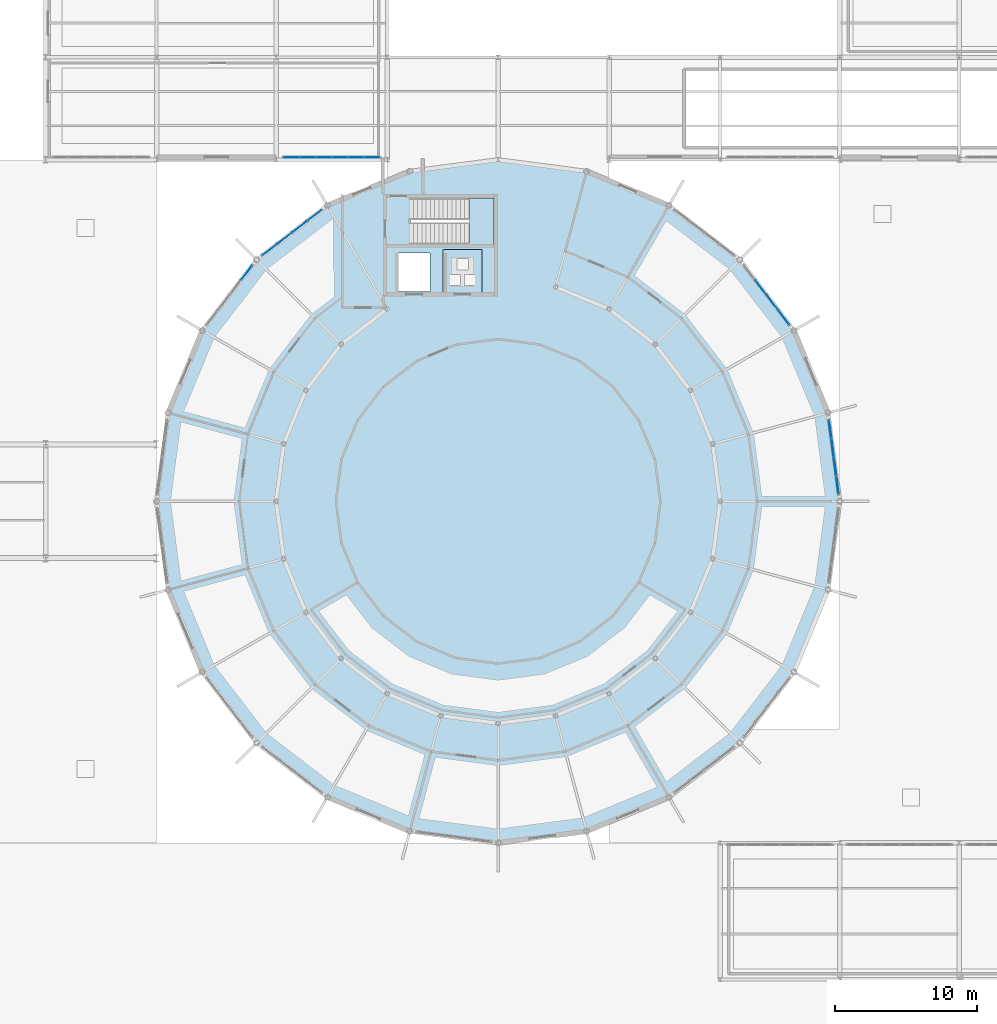
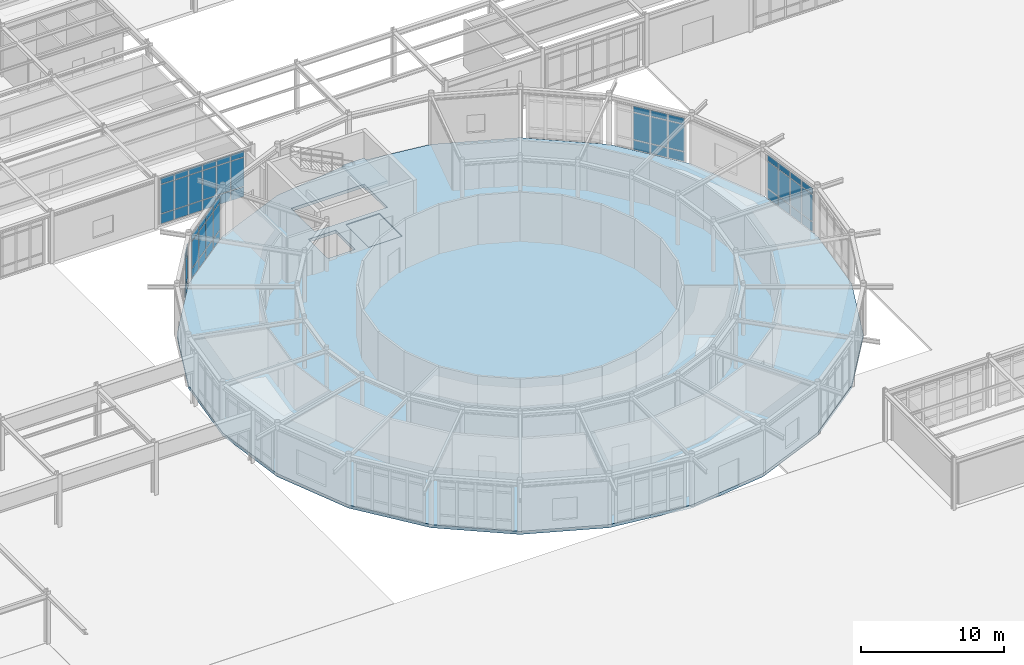
# One storey, part 68 of 101: 54 plates, 3 slabs, 6 elements without a shape of their own.
"""IFC4 building model written with IfcOpenShell, lengths in metres."""

from ifc_helpers import new_model, si_unit, derived_unit, direction, frame, origin, origin_2d, place, context, subcontext, project, spatial, polyline, rectangle, outline, extrude, material, layer, layer_set, type_object, element, aggregate, save


model = new_model("IFC4")

# Units and contexts
model_context = context("Model", 3, precision=1e-05, world=origin(), true_north=direction((0.0, 1.0)))
body_context = subcontext(model_context, "Body", "Model", "MODEL_VIEW")
ifc_project = project(units=[si_unit("LENGTHUNIT", "METRE"), si_unit("AREAUNIT", "SQUARE_METRE"), si_unit("VOLUMEUNIT", "CUBIC_METRE"), si_unit("PLANEANGLEUNIT", "RADIAN"), si_unit("MASSUNIT", "GRAM", prefix="KILO"), derived_unit("THERMALTRANSMITTANCEUNIT", [(si_unit("POWERUNIT", "WATT"), 1), (si_unit("AREAUNIT", "SQUARE_METRE"), -1), (si_unit("THERMODYNAMICTEMPERATUREUNIT", "KELVIN"), -1)])], contexts=[model_context])

# Site, building, storey
site_placement = place(None, origin())
site = spatial("IfcSite", under=ifc_project, at=site_placement, CompositionType="ELEMENT")
building_placement = place(site_placement, origin())
building = spatial("IfcBuilding", under=site, at=building_placement, Name="Yasenodar Specialist Clinic", CompositionType="ELEMENT")
storey_placement = place(building_placement, origin())
storey = spatial("IfcBuildingStorey", under=building, at=storey_placement, Name="L00", CompositionType="ELEMENT", Elevation=0.0)

# Curtain wall, plates
ifc_material_1 = material(Name="Bronze Anodized Aluminium and Triple Low-E Glass", Category="aluminium")
ifc_layer_1 = layer(ifc_material_1, 0.1669921875)
ifc_layer_set_1 = layer_set([ifc_layer_1], Name="Bronze Anodized Aluminium and Triple Low-E Glass")
curtain_wall_type_1 = type_object("IfcCurtainWallType", Name="CW-SYS-01", PredefinedType="USERDEFINED", material=ifc_layer_set_1)
curtain_wall_1_placement = place(storey_placement, origin())
curtain_wall_1 = element("IfcCurtainWall", 1, at=curtain_wall_1_placement, inside=storey, type_object=curtain_wall_type_1, Name="L00 Unitised Curtain Wall 004", ObjectType="UNITISED CURTAIN WALL", PredefinedType="USERDEFINED")
ifc_material_2 = material(Name="Triple Low-E Argon Glazing", Category="glass")
ifc_layer_2 = layer(ifc_material_2, 0.028076171875)
ifc_layer_set_2 = layer_set([ifc_layer_2], Name="Triple Low-E Argon Glazing")
plate_type_1 = type_object("IfcPlateType", Name="CW-PAN-1", PredefinedType="CURTAIN_PANEL", material=ifc_layer_set_2)
plate_1_placement = place(storey_placement, frame((64.9501953125, 76.47705078125, 0.070068359375), z_axis=(0.0, 0.0, 1.0), x_axis=(0.793360558574, 0.608752021844, 0.0)))
plate_1 = element("IfcPlate", 2, at=plate_1_placement, type_object=plate_type_1, Name="CW-01 panel 1.1", PredefinedType="CURTAIN_PANEL", context=body_context, shape_type="SweptSolid", body=[
    extrude(rectangle(XDim=1.221435546875, YDim=0.028076171875, at=origin_2d()), origin(), (0.0, 0.0, 1.0), 0.794921875),
])
plate_2_placement = place(storey_placement, frame((64.9501953125, 76.47705078125, 0.93505859375), z_axis=(0.0, 0.0, 1.0), x_axis=(0.793360558574, 0.608752021844, 0.0)))
plate_2 = element("IfcPlate", 3, at=plate_2_placement, type_object=plate_type_1, Name="CW-01 panel 1.2", PredefinedType="CURTAIN_PANEL", context=body_context, shape_type="SweptSolid", body=[
    extrude(rectangle(XDim=1.221435546875, YDim=0.028076171875, at=origin_2d()), origin(), (0.0, 0.0, 1.0), 2.26806640625),
])
plate_3_placement = place(storey_placement, frame((64.9501953125, 76.47705078125, 3.27294921875), z_axis=(0.0, 0.0, 1.0), x_axis=(0.793360558574, 0.608752021844, 0.0)))
plate_3 = element("IfcPlate", 4, at=plate_3_placement, type_object=plate_type_1, Name="CW-01 panel 1.3", PredefinedType="CURTAIN_PANEL", context=body_context, shape_type="SweptSolid", body=[
    extrude(rectangle(XDim=1.221435546875, YDim=0.028076171875, at=origin_2d()), origin(), (0.0, 0.0, 1.0), 0.4951171875),
])
plate_4_placement = place(storey_placement, frame((65.988525390625, 77.27392578125, 0.070068359375), z_axis=(0.0, 0.0, 1.0), x_axis=(0.793360558574, 0.608752021844, 0.0)))
plate_4 = element("IfcPlate", 5, at=plate_4_placement, type_object=plate_type_1, Name="CW-01 panel 2.1", PredefinedType="CURTAIN_PANEL", context=body_context, shape_type="SweptSolid", body=[
    extrude(rectangle(XDim=1.25634765625, YDim=0.028076171875, at=origin_2d()), origin(), (0.0, 0.0, 1.0), 0.794921875),
])
plate_5_placement = place(storey_placement, frame((65.988525390625, 77.27392578125, 0.93505859375), z_axis=(0.0, 0.0, 1.0), x_axis=(0.793360558574, 0.608752021844, 0.0)))
plate_5 = element("IfcPlate", 6, at=plate_5_placement, type_object=plate_type_1, Name="CW-01 panel 2.2", PredefinedType="CURTAIN_PANEL", context=body_context, shape_type="SweptSolid", body=[
    extrude(rectangle(XDim=1.25634765625, YDim=0.028076171875, at=origin_2d()), origin(), (0.0, 0.0, 1.0), 2.26806640625),
])
plate_6_placement = place(storey_placement, frame((65.988525390625, 77.27392578125, 3.27294921875), z_axis=(0.0, 0.0, 1.0), x_axis=(0.793360558574, 0.608752021844, 0.0)))
plate_6 = element("IfcPlate", 7, at=plate_6_placement, type_object=plate_type_1, Name="CW-01 panel 2.3", PredefinedType="CURTAIN_PANEL", context=body_context, shape_type="SweptSolid", body=[
    extrude(rectangle(XDim=1.25634765625, YDim=0.028076171875, at=origin_2d()), origin(), (0.0, 0.0, 1.0), 0.4951171875),
])
plate_7_placement = place(storey_placement, frame((67.040771484375, 78.081298828125, 0.070068359375), z_axis=(0.0, 0.0, 1.0), x_axis=(0.793360558574, 0.608752021844, 0.0)))
plate_7 = element("IfcPlate", 8, at=plate_7_placement, type_object=plate_type_1, Name="CW-01 panel 3.1", PredefinedType="CURTAIN_PANEL", context=body_context, shape_type="SweptSolid", body=[
    extrude(rectangle(XDim=1.25634765625, YDim=0.028076171875, at=origin_2d()), origin(), (0.0, 0.0, 1.0), 0.794921875),
])
plate_8_placement = place(storey_placement, frame((67.040771484375, 78.081298828125, 0.93505859375), z_axis=(0.0, 0.0, 1.0), x_axis=(0.793360558574, 0.608752021844, 0.0)))
plate_8 = element("IfcPlate", 9, at=plate_8_placement, type_object=plate_type_1, Name="CW-01 panel 3.2", PredefinedType="CURTAIN_PANEL", context=body_context, shape_type="SweptSolid", body=[
    extrude(rectangle(XDim=1.25634765625, YDim=0.028076171875, at=origin_2d()), origin(), (0.0, 0.0, 1.0), 2.26806640625),
])
plate_9_placement = place(storey_placement, frame((67.040771484375, 78.081298828125, 3.27294921875), z_axis=(0.0, 0.0, 1.0), x_axis=(0.793360558574, 0.608752021844, 0.0)))
plate_9 = element("IfcPlate", 10, at=plate_9_placement, type_object=plate_type_1, Name="CW-01 panel 3.3", PredefinedType="CURTAIN_PANEL", context=body_context, shape_type="SweptSolid", body=[
    extrude(rectangle(XDim=1.25634765625, YDim=0.028076171875, at=origin_2d()), origin(), (0.0, 0.0, 1.0), 0.4951171875),
])
plate_10_placement = place(storey_placement, frame((68.0791015625, 78.8779296875, 0.070068359375), z_axis=(0.0, 0.0, 1.0), x_axis=(0.793360558574, 0.608752021844, 0.0)))
plate_10 = element("IfcPlate", 11, at=plate_10_placement, type_object=plate_type_1, Name="CW-01 panel 4.1", PredefinedType="CURTAIN_PANEL", context=body_context, shape_type="SweptSolid", body=[
    extrude(rectangle(XDim=1.221435546875, YDim=0.028076171875, at=origin_2d()), origin(), (0.0, 0.0, 1.0), 0.794921875),
])
plate_11_placement = place(storey_placement, frame((68.0791015625, 78.8779296875, 0.93505859375), z_axis=(0.0, 0.0, 1.0), x_axis=(0.793360558574, 0.608752021844, 0.0)))
plate_11 = element("IfcPlate", 12, at=plate_11_placement, type_object=plate_type_1, Name="CW-01 panel 4.2", PredefinedType="CURTAIN_PANEL", context=body_context, shape_type="SweptSolid", body=[
    extrude(rectangle(XDim=1.221435546875, YDim=0.028076171875, at=origin_2d()), origin(), (0.0, 0.0, 1.0), 2.26806640625),
])
plate_12_placement = place(storey_placement, frame((68.0791015625, 78.8779296875, 3.27294921875), z_axis=(0.0, 0.0, 1.0), x_axis=(0.793360558574, 0.608752021844, 0.0)))
plate_12 = element("IfcPlate", 13, at=plate_12_placement, type_object=plate_type_1, Name="CW-01 panel 4.3", PredefinedType="CURTAIN_PANEL", context=body_context, shape_type="SweptSolid", body=[
    extrude(rectangle(XDim=1.221435546875, YDim=0.028076171875, at=origin_2d()), origin(), (0.0, 0.0, 1.0), 0.4951171875),
])
aggregate(curtain_wall_1, [plate_1, plate_2, plate_3, plate_4, plate_5, plate_6, plate_7, plate_8, plate_9, plate_10, plate_11, plate_12])

ifc_layer_3 = layer(ifc_material_1, 0.215087890625)
ifc_layer_set_3 = layer_set([ifc_layer_3], Name="Bronze Anodized Aluminium and Triple Low-E Glass")
curtain_wall_type_2 = type_object("IfcCurtainWallType", Name="CW-SYS-05", PredefinedType="USERDEFINED", material=ifc_layer_set_3)
curtain_wall_2_placement = place(storey_placement, origin())
curtain_wall_2 = element("IfcCurtainWall", 14, at=curtain_wall_2_placement, inside=storey, type_object=curtain_wall_type_2, Name="L00 Unitised Curtain Wall 148", ObjectType="UNITISED CURTAIN WALL", PredefinedType="USERDEFINED")
plate_13_placement = place(storey_placement, frame((72.135009765625, 82.969970703125, 0.06005859375), z_axis=(0.0, 0.0, 1.0), x_axis=(-1.0, 0.0, 0.0)))
plate_13 = element("IfcPlate", 15, at=plate_13_placement, type_object=plate_type_1, Name="CW-05 panel 1.1", PredefinedType="CURTAIN_PANEL", context=body_context, shape_type="SweptSolid", body=[
    extrude(rectangle(XDim=1.050048828125, YDim=0.028076171875, at=origin_2d()), origin(), (0.0, 0.0, 1.0), 0.81005859375),
])
plate_14_placement = place(storey_placement, frame((72.135009765625, 82.969970703125, 0.929931640625), z_axis=(0.0, 0.0, 1.0), x_axis=(-1.0, 0.0, 0.0)))
plate_14 = element("IfcPlate", 16, at=plate_14_placement, type_object=plate_type_1, Name="CW-05 panel 1.2", PredefinedType="CURTAIN_PANEL", context=body_context, shape_type="SweptSolid", body=[
    extrude(rectangle(XDim=1.050048828125, YDim=0.028076171875, at=origin_2d()), origin(), (0.0, 0.0, 1.0), 2.4580078125),
])
plate_15_placement = place(storey_placement, frame((72.135009765625, 82.969970703125, 3.44775390625), z_axis=(0.0, 0.0, 1.0), x_axis=(-1.0, 0.0, 0.0)))
plate_15 = element("IfcPlate", 17, at=plate_15_placement, type_object=plate_type_1, Name="CW-05 panel 1.3", PredefinedType="CURTAIN_PANEL", context=body_context, shape_type="SweptSolid", body=[
    extrude(rectangle(XDim=1.050048828125, YDim=0.028076171875, at=origin_2d()), origin(), (0.0, 0.0, 1.0), 0.510009765625),
])
plate_16_placement = place(storey_placement, frame((71.010009765625, 82.969970703125, 0.06005859375), z_axis=(0.0, 0.0, 1.0), x_axis=(-1.0, 0.0, 0.0)))
plate_16 = element("IfcPlate", 18, at=plate_16_placement, type_object=plate_type_1, Name="CW-05 panel 2.1", PredefinedType="CURTAIN_PANEL", context=body_context, shape_type="SweptSolid", body=[
    extrude(rectangle(XDim=1.080078125, YDim=0.028076171875, at=origin_2d()), origin(), (0.0, 0.0, 1.0), 0.81005859375),
])
plate_17_placement = place(storey_placement, frame((71.010009765625, 82.969970703125, 0.929931640625), z_axis=(0.0, 0.0, 1.0), x_axis=(-1.0, 0.0, 0.0)))
plate_17 = element("IfcPlate", 19, at=plate_17_placement, type_object=plate_type_1, Name="CW-05 panel 2.2", PredefinedType="CURTAIN_PANEL", context=body_context, shape_type="SweptSolid", body=[
    extrude(rectangle(XDim=1.080078125, YDim=0.028076171875, at=origin_2d()), origin(), (0.0, 0.0, 1.0), 2.4580078125),
])
plate_18_placement = place(storey_placement, frame((71.010009765625, 82.969970703125, 3.44775390625), z_axis=(0.0, 0.0, 1.0), x_axis=(-1.0, 0.0, 0.0)))
plate_18 = element("IfcPlate", 20, at=plate_18_placement, type_object=plate_type_1, Name="CW-05 panel 2.3", PredefinedType="CURTAIN_PANEL", context=body_context, shape_type="SweptSolid", body=[
    extrude(rectangle(XDim=1.080078125, YDim=0.028076171875, at=origin_2d()), origin(), (0.0, 0.0, 1.0), 0.510009765625),
])
plate_19_placement = place(storey_placement, frame((69.8701171875, 82.969970703125, 0.06005859375), z_axis=(0.0, 0.0, 1.0), x_axis=(-1.0, 0.0, 0.0)))
plate_19 = element("IfcPlate", 21, at=plate_19_placement, type_object=plate_type_1, Name="CW-05 panel 3.1", PredefinedType="CURTAIN_PANEL", context=body_context, shape_type="SweptSolid", body=[
    extrude(rectangle(XDim=1.080078125, YDim=0.028076171875, at=origin_2d()), origin(), (0.0, 0.0, 1.0), 0.81005859375),
])
plate_20_placement = place(storey_placement, frame((69.8701171875, 82.969970703125, 0.929931640625), z_axis=(0.0, 0.0, 1.0), x_axis=(-1.0, 0.0, 0.0)))
plate_20 = element("IfcPlate", 22, at=plate_20_placement, type_object=plate_type_1, Name="CW-05 panel 3.2", PredefinedType="CURTAIN_PANEL", context=body_context, shape_type="SweptSolid", body=[
    extrude(rectangle(XDim=1.080078125, YDim=0.028076171875, at=origin_2d()), origin(), (0.0, 0.0, 1.0), 2.4580078125),
])
plate_21_placement = place(storey_placement, frame((69.8701171875, 82.969970703125, 3.44775390625), z_axis=(0.0, 0.0, 1.0), x_axis=(-1.0, 0.0, 0.0)))
plate_21 = element("IfcPlate", 23, at=plate_21_placement, type_object=plate_type_1, Name="CW-05 panel 3.3", PredefinedType="CURTAIN_PANEL", context=body_context, shape_type="SweptSolid", body=[
    extrude(rectangle(XDim=1.080078125, YDim=0.028076171875, at=origin_2d()), origin(), (0.0, 0.0, 1.0), 0.510009765625),
])
plate_22_placement = place(storey_placement, frame((68.72998046875, 82.969970703125, 0.06005859375), z_axis=(0.0, 0.0, 1.0), x_axis=(-1.0, 0.0, 0.0)))
plate_22 = element("IfcPlate", 24, at=plate_22_placement, type_object=plate_type_1, Name="CW-05 panel 4.1", PredefinedType="CURTAIN_PANEL", context=body_context, shape_type="SweptSolid", body=[
    extrude(rectangle(XDim=1.080078125, YDim=0.028076171875, at=origin_2d()), origin(), (0.0, 0.0, 1.0), 0.81005859375),
])
plate_23_placement = place(storey_placement, frame((68.72998046875, 82.969970703125, 0.929931640625), z_axis=(0.0, 0.0, 1.0), x_axis=(-1.0, 0.0, 0.0)))
plate_23 = element("IfcPlate", 25, at=plate_23_placement, type_object=plate_type_1, Name="CW-05 panel 4.2", PredefinedType="CURTAIN_PANEL", context=body_context, shape_type="SweptSolid", body=[
    extrude(rectangle(XDim=1.080078125, YDim=0.028076171875, at=origin_2d()), origin(), (0.0, 0.0, 1.0), 2.4580078125),
])
plate_24_placement = place(storey_placement, frame((68.72998046875, 82.969970703125, 3.44775390625), z_axis=(0.0, 0.0, 1.0), x_axis=(-1.0, 0.0, 0.0)))
plate_24 = element("IfcPlate", 26, at=plate_24_placement, type_object=plate_type_1, Name="CW-05 panel 4.3", PredefinedType="CURTAIN_PANEL", context=body_context, shape_type="SweptSolid", body=[
    extrude(rectangle(XDim=1.080078125, YDim=0.028076171875, at=origin_2d()), origin(), (0.0, 0.0, 1.0), 0.510009765625),
])
plate_25_placement = place(storey_placement, frame((67.590087890625, 82.969970703125, 0.06005859375), z_axis=(0.0, 0.0, 1.0), x_axis=(-1.0, 0.0, 0.0)))
plate_25 = element("IfcPlate", 27, at=plate_25_placement, type_object=plate_type_1, Name="CW-05 panel 5.1", PredefinedType="CURTAIN_PANEL", context=body_context, shape_type="SweptSolid", body=[
    extrude(rectangle(XDim=1.080078125, YDim=0.028076171875, at=origin_2d()), origin(), (0.0, 0.0, 1.0), 0.81005859375),
])
plate_26_placement = place(storey_placement, frame((67.590087890625, 82.969970703125, 0.929931640625), z_axis=(0.0, 0.0, 1.0), x_axis=(-1.0, 0.0, 0.0)))
plate_26 = element("IfcPlate", 28, at=plate_26_placement, type_object=plate_type_1, Name="CW-05 panel 5.2", PredefinedType="CURTAIN_PANEL", context=body_context, shape_type="SweptSolid", body=[
    extrude(rectangle(XDim=1.080078125, YDim=0.028076171875, at=origin_2d()), origin(), (0.0, 0.0, 1.0), 2.4580078125),
])
plate_27_placement = place(storey_placement, frame((67.590087890625, 82.969970703125, 3.44775390625), z_axis=(0.0, 0.0, 1.0), x_axis=(-1.0, 0.0, 0.0)))
plate_27 = element("IfcPlate", 29, at=plate_27_placement, type_object=plate_type_1, Name="CW-05 panel 5.3", PredefinedType="CURTAIN_PANEL", context=body_context, shape_type="SweptSolid", body=[
    extrude(rectangle(XDim=1.080078125, YDim=0.028076171875, at=origin_2d()), origin(), (0.0, 0.0, 1.0), 0.510009765625),
])
plate_28_placement = place(storey_placement, frame((66.465087890625, 82.969970703125, 0.06005859375), z_axis=(0.0, 0.0, 1.0), x_axis=(-1.0, 0.0, 0.0)))
plate_28 = element("IfcPlate", 30, at=plate_28_placement, type_object=plate_type_1, Name="CW-05 panel 6.1", PredefinedType="CURTAIN_PANEL", context=body_context, shape_type="SweptSolid", body=[
    extrude(rectangle(XDim=1.050048828125, YDim=0.028076171875, at=origin_2d()), origin(), (0.0, 0.0, 1.0), 0.81005859375),
])
plate_29_placement = place(storey_placement, frame((66.465087890625, 82.969970703125, 0.929931640625), z_axis=(0.0, 0.0, 1.0), x_axis=(-1.0, 0.0, 0.0)))
plate_29 = element("IfcPlate", 31, at=plate_29_placement, type_object=plate_type_1, Name="CW-05 panel 6.2", PredefinedType="CURTAIN_PANEL", context=body_context, shape_type="SweptSolid", body=[
    extrude(rectangle(XDim=1.050048828125, YDim=0.028076171875, at=origin_2d()), origin(), (0.0, 0.0, 1.0), 2.4580078125),
])
plate_30_placement = place(storey_placement, frame((66.465087890625, 82.969970703125, 3.44775390625), z_axis=(0.0, 0.0, 1.0), x_axis=(-1.0, 0.0, 0.0)))
plate_30 = element("IfcPlate", 32, at=plate_30_placement, type_object=plate_type_1, Name="CW-05 panel 6.3", PredefinedType="CURTAIN_PANEL", context=body_context, shape_type="SweptSolid", body=[
    extrude(rectangle(XDim=1.050048828125, YDim=0.028076171875, at=origin_2d()), origin(), (0.0, 0.0, 1.0), 0.510009765625),
])
aggregate(curtain_wall_2, [plate_13, plate_14, plate_15, plate_16, plate_17, plate_18, plate_19, plate_20, plate_21, plate_22, plate_23, plate_24, plate_25, plate_26, plate_27, plate_28, plate_29, plate_30])

curtain_wall_3_placement = place(storey_placement, origin())
curtain_wall_3 = element("IfcCurtainWall", 33, at=curtain_wall_3_placement, inside=storey, type_object=curtain_wall_type_1, Name="L00 Unitised Curtain Wall 001", ObjectType="UNITISED CURTAIN WALL", PredefinedType="USERDEFINED")
ifc_layer_4 = layer(ifc_material_2, 0.033935546875)
ifc_layer_set_4 = layer_set([ifc_layer_4], Name="Triple Low-E Argon Glazing")
plate_type_2 = type_object("IfcPlateType", Name="CW-PAN-2", PredefinedType="CURTAIN_PANEL", material=ifc_layer_set_4)
plate_31_placement = place(storey_placement, frame((104.333740234375, 63.861083984375, 0.070068359375), z_axis=(0.0, 0.0, 1.0), x_axis=(0.13051156024, -0.991446787601, 0.0)))
plate_31 = element("IfcPlate", 34, at=plate_31_placement, type_object=plate_type_2, Name="CW-01 panel 1.1", PredefinedType="CURTAIN_PANEL", context=body_context, shape_type="SweptSolid", body=[
    extrude(rectangle(XDim=1.221435546875, YDim=0.033935546875, at=origin_2d()), origin(), (0.0, 0.0, 1.0), 0.794921875),
])
plate_32_placement = place(storey_placement, frame((104.333740234375, 63.861083984375, 0.93505859375), z_axis=(0.0, 0.0, 1.0), x_axis=(0.13051156024, -0.991446787601, 0.0)))
plate_32 = element("IfcPlate", 35, at=plate_32_placement, type_object=plate_type_2, Name="CW-01 panel 1.2", PredefinedType="CURTAIN_PANEL", context=body_context, shape_type="SweptSolid", body=[
    extrude(rectangle(XDim=1.221435546875, YDim=0.033935546875, at=origin_2d()), origin(), (0.0, 0.0, 1.0), 2.26806640625),
])
plate_33_placement = place(storey_placement, frame((104.333740234375, 63.861083984375, 3.27294921875), z_axis=(0.0, 0.0, 1.0), x_axis=(0.13051156024, -0.991446787601, 0.0)))
plate_33 = element("IfcPlate", 36, at=plate_33_placement, type_object=plate_type_2, Name="CW-01 panel 1.3", PredefinedType="CURTAIN_PANEL", context=body_context, shape_type="SweptSolid", body=[
    extrude(rectangle(XDim=1.221435546875, YDim=0.033935546875, at=origin_2d()), origin(), (0.0, 0.0, 1.0), 0.4951171875),
])
plate_34_placement = place(storey_placement, frame((104.504638671875, 62.563232421875, 0.070068359375), z_axis=(0.0, 0.0, 1.0), x_axis=(0.13051156024, -0.991446787601, 0.0)))
plate_34 = element("IfcPlate", 37, at=plate_34_placement, type_object=plate_type_2, Name="CW-01 panel 2.1", PredefinedType="CURTAIN_PANEL", context=body_context, shape_type="SweptSolid", body=[
    extrude(rectangle(XDim=1.25634765625, YDim=0.033935546875, at=origin_2d()), origin(), (0.0, 0.0, 1.0), 0.794921875),
])
plate_35_placement = place(storey_placement, frame((104.504638671875, 62.563232421875, 0.93505859375), z_axis=(0.0, 0.0, 1.0), x_axis=(0.13051156024, -0.991446787601, 0.0)))
plate_35 = element("IfcPlate", 38, at=plate_35_placement, type_object=plate_type_2, Name="CW-01 panel 2.2", PredefinedType="CURTAIN_PANEL", context=body_context, shape_type="SweptSolid", body=[
    extrude(rectangle(XDim=1.25634765625, YDim=0.033935546875, at=origin_2d()), origin(), (0.0, 0.0, 1.0), 2.26806640625),
])
plate_36_placement = place(storey_placement, frame((104.504638671875, 62.563232421875, 3.27294921875), z_axis=(0.0, 0.0, 1.0), x_axis=(0.13051156024, -0.991446787601, 0.0)))
plate_36 = element("IfcPlate", 39, at=plate_36_placement, type_object=plate_type_2, Name="CW-01 panel 2.3", PredefinedType="CURTAIN_PANEL", context=body_context, shape_type="SweptSolid", body=[
    extrude(rectangle(XDim=1.25634765625, YDim=0.033935546875, at=origin_2d()), origin(), (0.0, 0.0, 1.0), 0.4951171875),
])
plate_37_placement = place(storey_placement, frame((104.677734375, 61.248291015625, 0.070068359375), z_axis=(0.0, 0.0, 1.0), x_axis=(0.13051156024, -0.991446787601, 0.0)))
plate_37 = element("IfcPlate", 40, at=plate_37_placement, type_object=plate_type_2, Name="CW-01 panel 3.1", PredefinedType="CURTAIN_PANEL", context=body_context, shape_type="SweptSolid", body=[
    extrude(rectangle(XDim=1.25634765625, YDim=0.033935546875, at=origin_2d()), origin(), (0.0, 0.0, 1.0), 0.794921875),
])
plate_38_placement = place(storey_placement, frame((104.677734375, 61.248291015625, 0.93505859375), z_axis=(0.0, 0.0, 1.0), x_axis=(0.13051156024, -0.991446787601, 0.0)))
plate_38 = element("IfcPlate", 41, at=plate_38_placement, type_object=plate_type_2, Name="CW-01 panel 3.2", PredefinedType="CURTAIN_PANEL", context=body_context, shape_type="SweptSolid", body=[
    extrude(rectangle(XDim=1.25634765625, YDim=0.033935546875, at=origin_2d()), origin(), (0.0, 0.0, 1.0), 2.26806640625),
])
plate_39_placement = place(storey_placement, frame((104.677734375, 61.248291015625, 3.27294921875), z_axis=(0.0, 0.0, 1.0), x_axis=(0.13051156024, -0.991446787601, 0.0)))
plate_39 = element("IfcPlate", 42, at=plate_39_placement, type_object=plate_type_2, Name="CW-01 panel 3.3", PredefinedType="CURTAIN_PANEL", context=body_context, shape_type="SweptSolid", body=[
    extrude(rectangle(XDim=1.25634765625, YDim=0.033935546875, at=origin_2d()), origin(), (0.0, 0.0, 1.0), 0.4951171875),
])
plate_40_placement = place(storey_placement, frame((104.848388671875, 59.95068359375, 0.070068359375), z_axis=(0.0, 0.0, 1.0), x_axis=(0.13051156024, -0.991446787601, 0.0)))
plate_40 = element("IfcPlate", 43, at=plate_40_placement, type_object=plate_type_2, Name="CW-01 panel 4.1", PredefinedType="CURTAIN_PANEL", context=body_context, shape_type="SweptSolid", body=[
    extrude(rectangle(XDim=1.221435546875, YDim=0.033935546875, at=origin_2d()), origin(), (0.0, 0.0, 1.0), 0.794921875),
])
plate_41_placement = place(storey_placement, frame((104.848388671875, 59.95068359375, 0.93505859375), z_axis=(0.0, 0.0, 1.0), x_axis=(0.13051156024, -0.991446787601, 0.0)))
plate_41 = element("IfcPlate", 44, at=plate_41_placement, type_object=plate_type_2, Name="CW-01 panel 4.2", PredefinedType="CURTAIN_PANEL", context=body_context, shape_type="SweptSolid", body=[
    extrude(rectangle(XDim=1.221435546875, YDim=0.033935546875, at=origin_2d()), origin(), (0.0, 0.0, 1.0), 2.26806640625),
])
plate_42_placement = place(storey_placement, frame((104.848388671875, 59.95068359375, 3.27294921875), z_axis=(0.0, 0.0, 1.0), x_axis=(0.13051156024, -0.991446787601, 0.0)))
plate_42 = element("IfcPlate", 45, at=plate_42_placement, type_object=plate_type_2, Name="CW-01 panel 4.3", PredefinedType="CURTAIN_PANEL", context=body_context, shape_type="SweptSolid", body=[
    extrude(rectangle(XDim=1.221435546875, YDim=0.033935546875, at=origin_2d()), origin(), (0.0, 0.0, 1.0), 0.4951171875),
])
aggregate(curtain_wall_3, [plate_31, plate_32, plate_33, plate_34, plate_35, plate_36, plate_37, plate_38, plate_39, plate_40, plate_41, plate_42])

curtain_wall_4_placement = place(storey_placement, origin())
curtain_wall_4 = element("IfcCurtainWall", 46, at=curtain_wall_4_placement, inside=storey, type_object=curtain_wall_type_1, Name="L00 Unitised Curtain Wall 005", ObjectType="UNITISED CURTAIN WALL", PredefinedType="USERDEFINED")
plate_43_placement = place(storey_placement, frame((63.322021484375, 74.848876953125, 0.074951171875), z_axis=(0.0, 0.0, 1.0), x_axis=(0.608752021844, 0.793360558574, 0.0)))
plate_43 = element("IfcPlate", 47, at=plate_43_placement, type_object=plate_type_2, Name="CW-01 panel 4.1", PredefinedType="CURTAIN_PANEL", context=body_context, shape_type="SweptSolid", body=[
    extrude(rectangle(XDim=1.2138671875, YDim=0.033935546875, at=origin_2d()), origin(), (0.0, 0.0, 1.0), 0.78759765625),
])
plate_44_placement = place(storey_placement, frame((63.322021484375, 74.848876953125, 0.9375), z_axis=(0.0, 0.0, 1.0), x_axis=(0.608752021844, 0.793360558574, 0.0)))
plate_44 = element("IfcPlate", 48, at=plate_44_placement, type_object=plate_type_2, Name="CW-01 panel 4.2", PredefinedType="CURTAIN_PANEL", context=body_context, shape_type="SweptSolid", body=[
    extrude(rectangle(XDim=1.2138671875, YDim=0.033935546875, at=origin_2d()), origin(), (0.0, 0.0, 1.0), 2.262939453125),
])
plate_45_placement = place(storey_placement, frame((63.322021484375, 74.848876953125, 3.275390625), z_axis=(0.0, 0.0, 1.0), x_axis=(0.608752021844, 0.793360558574, 0.0)))
plate_45 = element("IfcPlate", 49, at=plate_45_placement, type_object=plate_type_2, Name="CW-01 panel 4.3", PredefinedType="CURTAIN_PANEL", context=body_context, shape_type="SweptSolid", body=[
    extrude(rectangle(XDim=1.2138671875, YDim=0.033935546875, at=origin_2d()), origin(), (0.0, 0.0, 1.0), 0.487548828125),
])
aggregate(curtain_wall_4, [plate_43, plate_44, plate_45])

curtain_wall_5_placement = place(storey_placement, origin())
curtain_wall_5 = element("IfcCurtainWall", 50, at=curtain_wall_5_placement, inside=storey, type_object=curtain_wall_type_1, Name="L00 Unitised Curtain Wall 002", ObjectType="UNITISED CURTAIN WALL", PredefinedType="USERDEFINED")
ifc_layer_5 = layer(ifc_material_2, 0.0400390625)
ifc_layer_set_5 = layer_set([ifc_layer_5], Name="Triple Low-E Argon Glazing")
plate_type_3 = type_object("IfcPlateType", Name="CW-PAN-3", PredefinedType="CURTAIN_PANEL", material=ifc_layer_set_5)
plate_46_placement = place(storey_placement, frame((99.473876953125, 73.8115234375, 0.070068359375), z_axis=(0.0, 0.0, 1.0), x_axis=(0.608752021844, -0.793360558574, 0.0)))
plate_46 = element("IfcPlate", 51, at=plate_46_placement, type_object=plate_type_3, Name="CW-01 panel 2.1", PredefinedType="CURTAIN_PANEL", context=body_context, shape_type="SweptSolid", body=[
    extrude(rectangle(XDim=1.25634765625, YDim=0.0400390625, at=origin_2d()), origin(), (0.0, 0.0, 1.0), 0.794921875),
])
plate_47_placement = place(storey_placement, frame((99.473876953125, 73.8115234375, 0.93505859375), z_axis=(0.0, 0.0, 1.0), x_axis=(0.608752021844, -0.793360558574, 0.0)))
plate_47 = element("IfcPlate", 52, at=plate_47_placement, type_object=plate_type_3, Name="CW-01 panel 2.2", PredefinedType="CURTAIN_PANEL", context=body_context, shape_type="SweptSolid", body=[
    extrude(rectangle(XDim=1.25634765625, YDim=0.0400390625, at=origin_2d()), origin(), (0.0, 0.0, 1.0), 2.26806640625),
])
plate_48_placement = place(storey_placement, frame((99.473876953125, 73.8115234375, 3.27294921875), z_axis=(0.0, 0.0, 1.0), x_axis=(0.608752021844, -0.793360558574, 0.0)))
plate_48 = element("IfcPlate", 53, at=plate_48_placement, type_object=plate_type_3, Name="CW-01 panel 2.3", PredefinedType="CURTAIN_PANEL", context=body_context, shape_type="SweptSolid", body=[
    extrude(rectangle(XDim=1.25634765625, YDim=0.0400390625, at=origin_2d()), origin(), (0.0, 0.0, 1.0), 0.4951171875),
])
plate_49_placement = place(storey_placement, frame((100.28125, 72.75927734375, 0.070068359375), z_axis=(0.0, 0.0, 1.0), x_axis=(0.608752021844, -0.793360558574, 0.0)))
plate_49 = element("IfcPlate", 54, at=plate_49_placement, type_object=plate_type_3, Name="CW-01 panel 3.1", PredefinedType="CURTAIN_PANEL", context=body_context, shape_type="SweptSolid", body=[
    extrude(rectangle(XDim=1.25634765625, YDim=0.0400390625, at=origin_2d()), origin(), (0.0, 0.0, 1.0), 0.794921875),
])
plate_50_placement = place(storey_placement, frame((100.28125, 72.75927734375, 0.93505859375), z_axis=(0.0, 0.0, 1.0), x_axis=(0.608752021844, -0.793360558574, 0.0)))
plate_50 = element("IfcPlate", 55, at=plate_50_placement, type_object=plate_type_3, Name="CW-01 panel 3.2", PredefinedType="CURTAIN_PANEL", context=body_context, shape_type="SweptSolid", body=[
    extrude(rectangle(XDim=1.25634765625, YDim=0.0400390625, at=origin_2d()), origin(), (0.0, 0.0, 1.0), 2.26806640625),
])
plate_51_placement = place(storey_placement, frame((100.28125, 72.75927734375, 3.27294921875), z_axis=(0.0, 0.0, 1.0), x_axis=(0.608752021844, -0.793360558574, 0.0)))
plate_51 = element("IfcPlate", 56, at=plate_51_placement, type_object=plate_type_3, Name="CW-01 panel 3.3", PredefinedType="CURTAIN_PANEL", context=body_context, shape_type="SweptSolid", body=[
    extrude(rectangle(XDim=1.25634765625, YDim=0.0400390625, at=origin_2d()), origin(), (0.0, 0.0, 1.0), 0.4951171875),
])
plate_52_placement = place(storey_placement, frame((101.078125, 71.720703125, 0.070068359375), z_axis=(0.0, 0.0, 1.0), x_axis=(0.608752021844, -0.793360558574, 0.0)))
plate_52 = element("IfcPlate", 57, at=plate_52_placement, type_object=plate_type_3, Name="CW-01 panel 4.1", PredefinedType="CURTAIN_PANEL", context=body_context, shape_type="SweptSolid", body=[
    extrude(rectangle(XDim=1.221435546875, YDim=0.0400390625, at=origin_2d()), origin(), (0.0, 0.0, 1.0), 0.794921875),
])
plate_53_placement = place(storey_placement, frame((101.078125, 71.720703125, 0.93505859375), z_axis=(0.0, 0.0, 1.0), x_axis=(0.608752021844, -0.793360558574, 0.0)))
plate_53 = element("IfcPlate", 58, at=plate_53_placement, type_object=plate_type_3, Name="CW-01 panel 4.2", PredefinedType="CURTAIN_PANEL", context=body_context, shape_type="SweptSolid", body=[
    extrude(rectangle(XDim=1.221435546875, YDim=0.0400390625, at=origin_2d()), origin(), (0.0, 0.0, 1.0), 2.26806640625),
])
plate_54_placement = place(storey_placement, frame((101.078125, 71.720703125, 3.27294921875), z_axis=(0.0, 0.0, 1.0), x_axis=(0.608752021844, -0.793360558574, 0.0)))
plate_54 = element("IfcPlate", 59, at=plate_54_placement, type_object=plate_type_3, Name="CW-01 panel 4.3", PredefinedType="CURTAIN_PANEL", context=body_context, shape_type="SweptSolid", body=[
    extrude(rectangle(XDim=1.221435546875, YDim=0.0400390625, at=origin_2d()), origin(), (0.0, 0.0, 1.0), 0.4951171875),
])
aggregate(curtain_wall_5, [plate_46, plate_47, plate_48, plate_49, plate_50, plate_51, plate_52, plate_53, plate_54])

# Slabs
ifc_material_3 = material(Name="Concrete C30/37", Category="concrete")
ifc_layer_6 = layer(ifc_material_3, 0.300048828125)
ifc_layer_set_6 = layer_set([ifc_layer_6], Name="Concrete C30/37")
slab_type_1 = type_object("IfcSlabType", Name="SLB-BASE-300", PredefinedType="BASESLAB", material=ifc_layer_set_6)
slab_1_placement = place(storey_placement, frame((0.0, 0.0, -0.219970703125)))
element("IfcSlab", 60, at=slab_1_placement, inside=storey, type_object=slab_type_1, Name="LF-07 Lift Pit Base Slab", PredefinedType="BASESLAB", context=body_context, shape_type="SweptSolid", body=[
    extrude(outline(polyline([(77.14990234375, 73.300048828125), (79.85009765625, 73.300048828125), (79.85009765625, 76.5), (77.14990234375, 76.5), (77.14990234375, 73.300048828125)])), origin(), (0.0, 0.0, 1.0), 0.169921875),
])
ifc_layer_7 = layer(ifc_material_3, 0.264892578125)
ifc_layer_set_7 = layer_set([ifc_layer_7], Name="Concrete C30/37")
slab_type_2 = type_object("IfcSlabType", Name="SLB-FLR-265", PredefinedType="FLOOR", material=ifc_layer_set_7)
slab_2_placement = place(storey_placement, frame((0.0, 0.0, -0.264892578125)))
element("IfcSlab", 61, at=slab_2_placement, inside=storey, type_object=slab_type_2, Name="L00 V1 structural slab", PredefinedType="FLOOR", context=body_context, shape_type="SweptSolid", body=[
    extrude(outline(polyline([(105.0, 58.800048828125), (104.18212890625, 65.01171875), (101.78466796875, 70.800048828125), (97.970703125, 75.7705078125), (93.0, 79.584716796875), (87.211669921875, 81.982177734375), (81.0, 82.800048828125), (74.788330078125, 81.982177734375), (69.0, 79.584716796875), (64.029296875, 75.7705078125), (60.21533203125, 70.800048828125), (57.81787109375, 65.01171875), (57.0, 58.800048828125), (57.81787109375, 52.58837890625), (60.21533203125, 46.800048828125), (64.029296875, 41.829345703125), (69.0, 38.015380859375), (74.788330078125, 35.617919921875), (81.0, 34.800048828125), (87.211669921875, 35.617919921875), (93.0, 38.015380859375), (97.970703125, 41.829345703125), (101.78466796875, 46.800048828125), (104.18212890625, 52.58837890625), (105.0, 58.800048828125)]), holes=[polyline([(74.830078125, 76.860107421875), (80.719970703125, 76.860107421875), (80.719970703125, 80.110107421875), (74.830078125, 80.110107421875), (74.830078125, 76.860107421875)]), polyline([(74.0, 73.550048828125), (76.199951171875, 73.550048828125), (76.199951171875, 76.25), (74.0, 76.25), (74.0, 73.550048828125)]), polyline([(77.139892578125, 73.2900390625), (79.860107421875, 73.2900390625), (79.860107421875, 76.510009765625), (77.139892578125, 76.510009765625), (77.139892578125, 73.2900390625)])]), origin(), (0.0, 0.0, 1.0), 0.264892578125),
])

# Stair, slab
stair_type = type_object("IfcStairType", Name="ST-DOG-C2-30", PredefinedType="HALF_TURN_STAIR", material=ifc_material_3)
stair_placement = place(storey_placement, origin())
stair = element("IfcStair", 62, at=stair_placement, inside=storey, type_object=stair_type, Name="L00 Core C3 Exit Stair ST-03", PredefinedType="HALF_TURN_STAIR")
ifc_layer_8 = layer(ifc_material_3, 0.199951171875)
ifc_layer_set_8 = layer_set([ifc_layer_8], Name="Concrete C30/37")
slab_type_3 = type_object("IfcSlabType", Name="SLB-LND-200", PredefinedType="LANDING", material=ifc_layer_set_8)
slab_3_placement = place(storey_placement, frame((0.0, 0.0, 2.050048828125)))
slab_3 = element("IfcSlab", 63, at=slab_3_placement, type_object=slab_type_3, Name="ST-03 landing 1", PredefinedType="LANDING", context=body_context, shape_type="SweptSolid", body=[
    extrude(outline(polyline([(78.93994140625, 76.860107421875), (80.719970703125, 76.860107421875), (80.719970703125, 80.110107421875), (78.93994140625, 80.110107421875), (78.93994140625, 76.860107421875)])), origin(), (0.0, 0.0, 1.0), 0.199951171875),
])
aggregate(stair, [slab_3])

save(model, "model.ifc")
